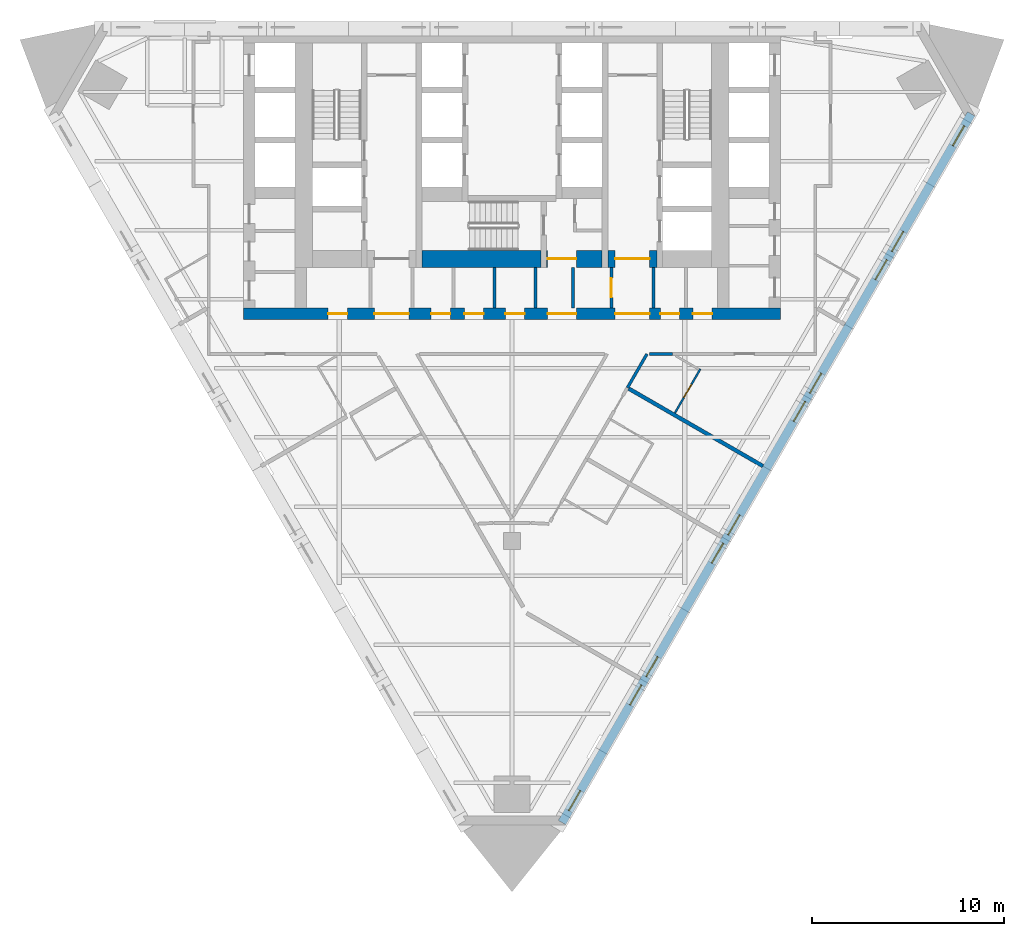
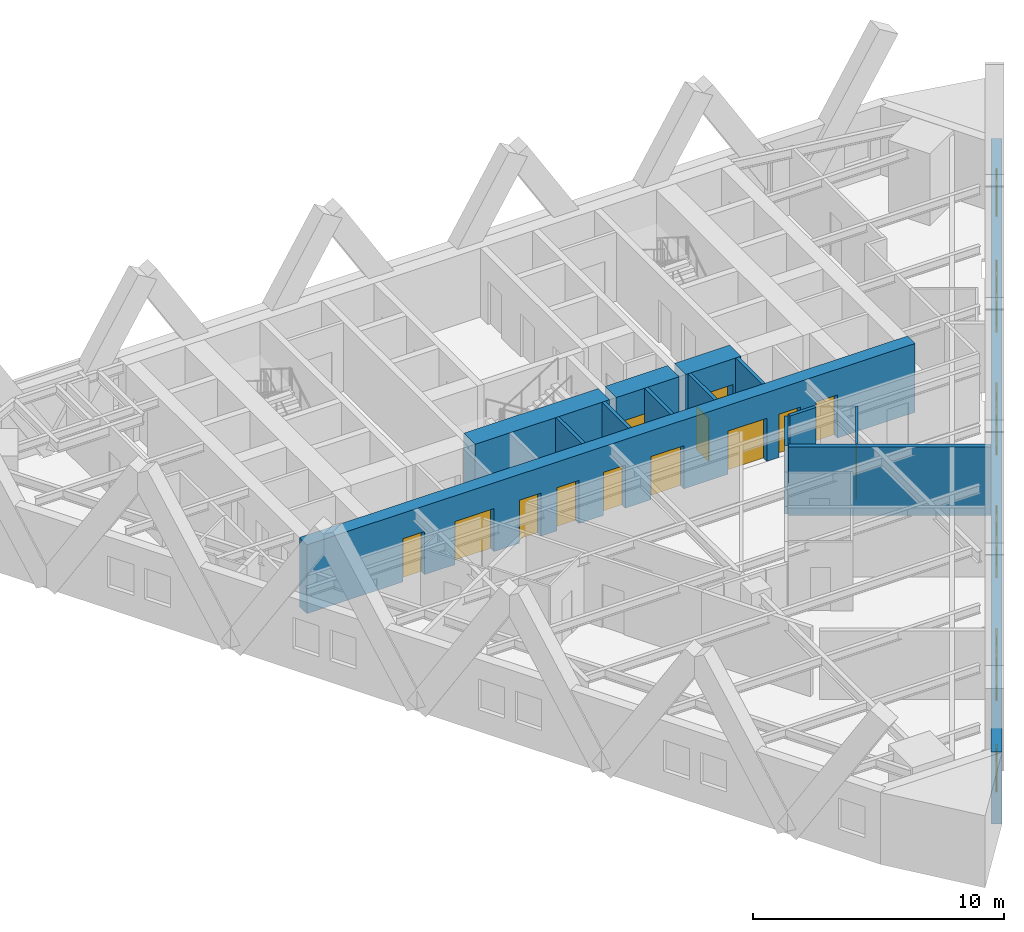
# One storey, part 4 of 8: 14 walls, 13 doors, 10 windows, 23 openings.
"""IFC4 building model written with IfcOpenShell, lengths in metres."""

from ifc_helpers import new_model, si_unit, direction, frame, frame_2d, origin, place, context, subcontext, project, spatial, polyline, rectangle, outline, extrude, material, layer, layer_set, type_object, element, fill, save


model = new_model("IFC4")

# Units and contexts
model_context = context("Model", 3, precision=1e-05, world=origin(), true_north=direction((0.0, 1.0)))
body_context = subcontext(model_context, "Body", "Model", "MODEL_VIEW")
ifc_project = project(units=[si_unit("LENGTHUNIT", "METRE"), si_unit("AREAUNIT", "SQUARE_METRE"), si_unit("VOLUMEUNIT", "CUBIC_METRE"), si_unit("PLANEANGLEUNIT", "RADIAN"), si_unit("MASSUNIT", "GRAM", prefix="KILO")], contexts=[model_context])

# Site, building, storey
site_placement = place(None, origin())
site = spatial("IfcSite", under=ifc_project, at=site_placement, CompositionType="ELEMENT")
building_placement = place(site_placement, origin())
building = spatial("IfcBuilding", under=site, at=building_placement, Name="Aloe Facet Convention Tower", CompositionType="ELEMENT")
storey_placement = place(building_placement, frame((0.0, 0.0, 88.800048828125)))
storey = spatial("IfcBuildingStorey", under=building, at=storey_placement, Name="L21", CompositionType="ELEMENT", Elevation=88.800048828125)

# Walls
ifc_material_1 = material(Name="Concrete blockwork partition", Category="masonry")
ifc_layer_1 = layer(ifc_material_1, 0.14990234375)
ifc_layer_set_1 = layer_set([ifc_layer_1], Name="CR-W-PART150")
wall_type_1 = type_object("IfcWallType", Name="CR-W-PART150", PredefinedType="PARTITIONING", material=ifc_layer_set_1)
for number, where, z_axis, x_axis, name in (
    (1, (79.091552734375, 122.25, 0.0), (0.0, 0.0, 1.0), (0.0, -1.0, 0.0), "Core partition L21-027"),
    (2, (81.22509765625, 122.25, 0.0), (0.0, 0.0, 1.0), (0.0, -1.0, 0.0), "Core partition L21-028"),
    (3, (83.175048828125, 122.25, 0.0), (0.0, 0.0, 1.0), (0.0, -1.0, 0.0), "Core partition L21-035"),
):
    element("IfcWall", number, at=place(storey_placement, frame(where, z_axis=z_axis, x_axis=x_axis)), inside=storey, type_object=wall_type_1, Name=name, PredefinedType="PARTITIONING", context=body_context, shape_type="SweptSolid", body=[
        extrude(rectangle(XDim=2.10009765625, YDim=0.14990234375, at=frame_2d((1.050048828125, 0.0))), origin(), (0.0, 0.0, 1.0), 3.349853515625),
    ])

# Wall, opening, door
wall_1_placement = place(storey_placement, frame((85.175048828125, 122.25, 0.0), z_axis=(0.0, 0.0, 1.0), x_axis=(0.0, -1.0, 0.0)))
wall_1 = element("IfcWall", 4, at=wall_1_placement, inside=storey, type_object=wall_type_1, Name="Core partition L21-041", PredefinedType="PARTITIONING", context=body_context, shape_type="SweptSolid", body=[
    extrude(rectangle(XDim=2.10009765625, YDim=0.14990234375, at=frame_2d((1.050048828125, 0.0))), origin(), (0.0, 0.0, 1.0), 3.349853515625),
])
opening_1_placement = place(wall_1_placement, frame((0.550048828125, 0.0, 0.0)))
opening_1 = element("IfcOpeningElement", 5, at=opening_1_placement, cuts=wall_1, Name="Opening L21-CD28", PredefinedType="OPENING", context=body_context, shape_type="SweptSolid", body=[
    extrude(rectangle(XDim=1.0, YDim=2.10009765625, at=frame_2d((0.5, 1.050048828125))), frame((0.0, 0.0849609375, 0.0), z_axis=(0.0, -1.0, 0.0), x_axis=(1.0, 0.0, 0.0)), (0.0, 0.0, 1.0), 0.169921875),
])
ifc_material_2 = material(Name="Steel fire-resisting door set FD60", Category="steel")
door_type_1 = type_object("IfcDoorType", Name="CR-D-ROOM-1000-FD60-SRIGHT", OperationType="SINGLE_SWING_RIGHT", PredefinedType="DOOR", material=ifc_material_2)
door_1_placement = place(opening_1_placement, origin())
door_1 = element("IfcDoor", 6, at=door_1_placement, inside=storey, type_object=door_type_1, Name="Core door L21-CD28", OperationType="SINGLE_SWING_RIGHT", OverallHeight=2.10009765625, OverallWidth=1.0, PredefinedType="DOOR", context=body_context, shape_type="SweptSolid", body=[
    extrude(rectangle(XDim=1.0, YDim=2.10009765625, at=frame_2d((0.5, 1.050048828125))), frame((0.0, 0.02490234375, 0.0), z_axis=(0.0, -1.0, 0.0), x_axis=(1.0, 0.0, 0.0)), (0.0, 0.0, 1.0), 0.050048828125),
])
fill(opening_1, door_1)

# Wall
wall_2_placement = place(storey_placement, frame((87.375, 122.25, 0.0), z_axis=(0.0, 0.0, 1.0), x_axis=(0.0, -1.0, 0.0)))
element("IfcWall", 7, at=wall_2_placement, inside=storey, type_object=wall_type_1, Name="Core partition L21-042", PredefinedType="PARTITIONING", context=body_context, shape_type="SweptSolid", body=[
    extrude(rectangle(XDim=2.10009765625, YDim=0.14990234375, at=frame_2d((1.050048828125, 0.0))), origin(), (0.0, 0.0, 1.0), 3.349853515625),
])

# Wall, openings, doors
ifc_material_3 = material(Name="Concrete C70/85", Category="concrete")
ifc_layer_2 = layer(ifc_material_3, 0.60009765625)
ifc_layer_set_2 = layer_set([ifc_layer_2], Name="CR-W-RC600-C7085")
wall_type_2 = type_object("IfcWallType", Name="CR-W-RC600-C7085", PredefinedType="SOLIDWALL", material=ifc_layer_set_2)
wall_3_placement = place(storey_placement, frame((66.0, 119.85009765625, 0.0), z_axis=(0.0, 0.0, 1.0), x_axis=(1.0, 0.0, 0.0)))
wall_3 = element("IfcWall", 8, at=wall_3_placement, inside=storey, type_object=wall_type_2, Name="Core wall L21-003", PredefinedType="SOLIDWALL", context=body_context, shape_type="SweptSolid", body=[
    extrude(rectangle(XDim=28.0, YDim=0.60009765625, at=frame_2d((14.0, 0.0))), origin(), (0.0, 0.0, 1.0), 3.349853515625),
])
opening_2_placement = place(wall_3_placement, frame((6.824951171875, 0.0, 0.0)))
opening_2 = element("IfcOpeningElement", 9, at=opening_2_placement, cuts=wall_3, Name="Opening L21-CD17", PredefinedType="OPENING", context=body_context, shape_type="SweptSolid", body=[
    extrude(rectangle(XDim=1.800048828125, YDim=2.10009765625, at=frame_2d((0.89990234375, 1.050048828125))), frame((0.0, 0.31005859375, 0.0), z_axis=(0.0, -1.0, 0.0), x_axis=(1.0, 0.0, 0.0)), (0.0, 0.0, 1.0), 0.6201171875),
])
opening_3_placement = place(wall_3_placement, frame((15.85009765625, 0.0, 0.0)))
opening_3 = element("IfcOpeningElement", 10, at=opening_3_placement, cuts=wall_3, Name="Opening L21-CD18", PredefinedType="OPENING", context=body_context, shape_type="SweptSolid", body=[
    extrude(rectangle(XDim=1.5, YDim=2.10009765625, at=frame_2d((0.75, 1.050048828125))), frame((0.0, 0.31005859375, 0.0), z_axis=(0.0, -1.0, 0.0), x_axis=(1.0, 0.0, 0.0)), (0.0, 0.0, 1.0), 0.6201171875),
])
opening_4_placement = place(wall_3_placement, frame((19.375, 0.0, 0.0)))
opening_4 = element("IfcOpeningElement", 11, at=opening_4_placement, cuts=wall_3, Name="Opening L21-CD19", PredefinedType="OPENING", context=body_context, shape_type="SweptSolid", body=[
    extrude(rectangle(XDim=1.800048828125, YDim=2.10009765625, at=frame_2d((0.89990234375, 1.050048828125))), frame((0.0, 0.31005859375, 0.0), z_axis=(0.0, -1.0, 0.0), x_axis=(1.0, 0.0, 0.0)), (0.0, 0.0, 1.0), 0.6201171875),
])
opening_5_placement = place(wall_3_placement, frame((4.425048828125, 0.0, 0.0)))
opening_5 = element("IfcOpeningElement", 12, at=opening_5_placement, cuts=wall_3, Name="Opening L21-CD24", PredefinedType="OPENING", context=body_context, shape_type="SweptSolid", body=[
    extrude(rectangle(XDim=1.0, YDim=2.10009765625, at=frame_2d((0.5, 1.050048828125))), frame((0.0, 0.31005859375, 0.0), z_axis=(0.0, -1.0, 0.0), x_axis=(1.0, 0.0, 0.0)), (0.0, 0.0, 1.0), 0.6201171875),
])
opening_6_placement = place(wall_3_placement, frame((9.783203125, 0.0, 0.0)))
opening_6 = element("IfcOpeningElement", 13, at=opening_6_placement, cuts=wall_3, Name="Opening L21-CD25", PredefinedType="OPENING", context=body_context, shape_type="SweptSolid", body=[
    extrude(rectangle(XDim=1.0, YDim=2.10009765625, at=frame_2d((0.5, 1.050048828125))), frame((0.0, 0.31005859375, 0.0), z_axis=(0.0, -1.0, 0.0), x_axis=(1.0, 0.0, 0.0)), (0.0, 0.0, 1.0), 0.6201171875),
])
opening_7_placement = place(wall_3_placement, frame((11.52490234375, 0.0, 0.0)))
opening_7 = element("IfcOpeningElement", 14, at=opening_7_placement, cuts=wall_3, Name="Opening L21-CD26", PredefinedType="OPENING", context=body_context, shape_type="SweptSolid", body=[
    extrude(rectangle(XDim=1.0, YDim=2.10009765625, at=frame_2d((0.5, 1.050048828125))), frame((0.0, 0.31005859375, 0.0), z_axis=(0.0, -1.0, 0.0), x_axis=(1.0, 0.0, 0.0)), (0.0, 0.0, 1.0), 0.6201171875),
])
opening_8_placement = place(wall_3_placement, frame((13.658203125, 0.0, 0.0)))
opening_8 = element("IfcOpeningElement", 15, at=opening_8_placement, cuts=wall_3, Name="Opening L21-CD27", PredefinedType="OPENING", context=body_context, shape_type="SweptSolid", body=[
    extrude(rectangle(XDim=1.0, YDim=2.10009765625, at=frame_2d((0.5, 1.050048828125))), frame((0.0, 0.31005859375, 0.0), z_axis=(0.0, -1.0, 0.0), x_axis=(1.0, 0.0, 0.0)), (0.0, 0.0, 1.0), 0.6201171875),
])
opening_9_placement = place(wall_3_placement, frame((21.72509765625, 0.0, 0.0)))
opening_9 = element("IfcOpeningElement", 16, at=opening_9_placement, cuts=wall_3, Name="Opening L21-CD29", PredefinedType="OPENING", context=body_context, shape_type="SweptSolid", body=[
    extrude(rectangle(XDim=1.0, YDim=2.10009765625, at=frame_2d((0.5, 1.050048828125))), frame((0.0, 0.31005859375, 0.0), z_axis=(0.0, -1.0, 0.0), x_axis=(1.0, 0.0, 0.0)), (0.0, 0.0, 1.0), 0.6201171875),
])
opening_10_placement = place(wall_3_placement, frame((23.425048828125, 0.0, 0.0)))
opening_10 = element("IfcOpeningElement", 17, at=opening_10_placement, cuts=wall_3, Name="Opening L21-CD30", PredefinedType="OPENING", context=body_context, shape_type="SweptSolid", body=[
    extrude(rectangle(XDim=1.0, YDim=2.10009765625, at=frame_2d((0.5, 1.050048828125))), frame((0.0, 0.31005859375, 0.0), z_axis=(0.0, -1.0, 0.0), x_axis=(1.0, 0.0, 0.0)), (0.0, 0.0, 1.0), 0.6201171875),
])
ifc_material_4 = material(Name="Steel fire-resisting door set FD60", Category="steel")
door_type_2 = type_object("IfcDoorType", Name="CR-D-EXIT-1500-FD60-DD", OperationType="DOUBLE_DOOR_DOUBLE_SWING", PredefinedType="DOOR", material=ifc_material_4)
door_2_placement = place(opening_3_placement, origin())
door_2 = element("IfcDoor", 18, at=door_2_placement, inside=storey, type_object=door_type_2, Name="Core door L21-CD18", OperationType="DOUBLE_DOOR_DOUBLE_SWING", OverallHeight=2.10009765625, OverallWidth=1.5, PredefinedType="DOOR", context=body_context, shape_type="SweptSolid", body=[
    extrude(rectangle(XDim=1.5, YDim=2.10009765625, at=frame_2d((0.75, 1.050048828125))), frame((0.0, 0.02490234375, 0.0), z_axis=(0.0, -1.0, 0.0), x_axis=(1.0, 0.0, 0.0)), (0.0, 0.0, 1.0), 0.050048828125),
])
fill(opening_3, door_2)
ifc_material_5 = material(Name="Steel fire-resisting door set FD60", Category="steel")
door_type_3 = type_object("IfcDoorType", Name="CR-D-EXIT-1800-FD60-DD", OperationType="DOUBLE_DOOR_DOUBLE_SWING", PredefinedType="DOOR", material=ifc_material_5)
door_3_placement = place(opening_2_placement, origin())
door_3 = element("IfcDoor", 19, at=door_3_placement, inside=storey, type_object=door_type_3, Name="Core door L21-CD17", OperationType="DOUBLE_DOOR_DOUBLE_SWING", OverallHeight=2.10009765625, OverallWidth=1.800048828125, PredefinedType="DOOR", context=body_context, shape_type="SweptSolid", body=[
    extrude(rectangle(XDim=1.800048828125, YDim=2.10009765625, at=frame_2d((0.89990234375, 1.050048828125))), frame((0.0, 0.02490234375, 0.0), z_axis=(0.0, -1.0, 0.0), x_axis=(1.0, 0.0, 0.0)), (0.0, 0.0, 1.0), 0.050048828125),
])
fill(opening_2, door_3)
door_4_placement = place(opening_4_placement, origin())
door_4 = element("IfcDoor", 20, at=door_4_placement, inside=storey, type_object=door_type_3, Name="Core door L21-CD19", OperationType="DOUBLE_DOOR_DOUBLE_SWING", OverallHeight=2.10009765625, OverallWidth=1.800048828125, PredefinedType="DOOR", context=body_context, shape_type="SweptSolid", body=[
    extrude(rectangle(XDim=1.800048828125, YDim=2.10009765625, at=frame_2d((0.89990234375, 1.050048828125))), frame((0.0, 0.02490234375, 0.0), z_axis=(0.0, -1.0, 0.0), x_axis=(1.0, 0.0, 0.0)), (0.0, 0.0, 1.0), 0.050048828125),
])
fill(opening_4, door_4)
door_5_placement = place(opening_5_placement, origin())
door_5 = element("IfcDoor", 21, at=door_5_placement, inside=storey, type_object=door_type_1, Name="Core door L21-CD24", OperationType="SINGLE_SWING_RIGHT", OverallHeight=2.10009765625, OverallWidth=1.0, PredefinedType="DOOR", context=body_context, shape_type="SweptSolid", body=[
    extrude(rectangle(XDim=1.0, YDim=2.10009765625, at=frame_2d((0.5, 1.050048828125))), frame((0.0, 0.02490234375, 0.0), z_axis=(0.0, -1.0, 0.0), x_axis=(1.0, 0.0, 0.0)), (0.0, 0.0, 1.0), 0.050048828125),
])
fill(opening_5, door_5)
door_6_placement = place(opening_6_placement, origin())
door_6 = element("IfcDoor", 22, at=door_6_placement, inside=storey, type_object=door_type_1, Name="Core door L21-CD25", OperationType="SINGLE_SWING_RIGHT", OverallHeight=2.10009765625, OverallWidth=1.0, PredefinedType="DOOR", context=body_context, shape_type="SweptSolid", body=[
    extrude(rectangle(XDim=1.0, YDim=2.10009765625, at=frame_2d((0.5, 1.050048828125))), frame((0.0, 0.02490234375, 0.0), z_axis=(0.0, -1.0, 0.0), x_axis=(1.0, 0.0, 0.0)), (0.0, 0.0, 1.0), 0.050048828125),
])
fill(opening_6, door_6)
door_7_placement = place(opening_7_placement, origin())
door_7 = element("IfcDoor", 23, at=door_7_placement, inside=storey, type_object=door_type_1, Name="Core door L21-CD26", OperationType="SINGLE_SWING_RIGHT", OverallHeight=2.10009765625, OverallWidth=1.0, PredefinedType="DOOR", context=body_context, shape_type="SweptSolid", body=[
    extrude(rectangle(XDim=1.0, YDim=2.10009765625, at=frame_2d((0.5, 1.050048828125))), frame((0.0, 0.02490234375, 0.0), z_axis=(0.0, -1.0, 0.0), x_axis=(1.0, 0.0, 0.0)), (0.0, 0.0, 1.0), 0.050048828125),
])
fill(opening_7, door_7)
door_8_placement = place(opening_8_placement, origin())
door_8 = element("IfcDoor", 24, at=door_8_placement, inside=storey, type_object=door_type_1, Name="Core door L21-CD27", OperationType="SINGLE_SWING_RIGHT", OverallHeight=2.10009765625, OverallWidth=1.0, PredefinedType="DOOR", context=body_context, shape_type="SweptSolid", body=[
    extrude(rectangle(XDim=1.0, YDim=2.10009765625, at=frame_2d((0.5, 1.050048828125))), frame((0.0, 0.02490234375, 0.0), z_axis=(0.0, -1.0, 0.0), x_axis=(1.0, 0.0, 0.0)), (0.0, 0.0, 1.0), 0.050048828125),
])
fill(opening_8, door_8)
door_9_placement = place(opening_9_placement, origin())
door_9 = element("IfcDoor", 25, at=door_9_placement, inside=storey, type_object=door_type_1, Name="Core door L21-CD29", OperationType="SINGLE_SWING_RIGHT", OverallHeight=2.10009765625, OverallWidth=1.0, PredefinedType="DOOR", context=body_context, shape_type="SweptSolid", body=[
    extrude(rectangle(XDim=1.0, YDim=2.10009765625, at=frame_2d((0.5, 1.050048828125))), frame((0.0, 0.02490234375, 0.0), z_axis=(0.0, -1.0, 0.0), x_axis=(1.0, 0.0, 0.0)), (0.0, 0.0, 1.0), 0.050048828125),
])
fill(opening_9, door_9)
door_10_placement = place(opening_10_placement, origin())
door_10 = element("IfcDoor", 26, at=door_10_placement, inside=storey, type_object=door_type_1, Name="Core door L21-CD30", OperationType="SINGLE_SWING_RIGHT", OverallHeight=2.10009765625, OverallWidth=1.0, PredefinedType="DOOR", context=body_context, shape_type="SweptSolid", body=[
    extrude(rectangle(XDim=1.0, YDim=2.10009765625, at=frame_2d((0.5, 1.050048828125))), frame((0.0, 0.02490234375, 0.0), z_axis=(0.0, -1.0, 0.0), x_axis=(1.0, 0.0, 0.0)), (0.0, 0.0, 1.0), 0.050048828125),
])
fill(opening_10, door_10)

# Wall
ifc_material_6 = material(Name="Concrete C70/85", Category="concrete")
ifc_layer_3 = layer(ifc_material_6, 0.89990234375)
ifc_layer_set_3 = layer_set([ifc_layer_3], Name="CR-W-RC900-C7085")
wall_type_3 = type_object("IfcWallType", Name="CR-W-RC900-C7085", PredefinedType="SOLIDWALL", material=ifc_layer_set_3)
wall_4_placement = place(storey_placement, frame((75.300048828125, 122.699951171875, 0.0), z_axis=(0.0, 0.0, 1.0), x_axis=(1.0, 0.0, 0.0)))
element("IfcWall", 27, at=wall_4_placement, inside=storey, type_object=wall_type_3, Name="Core wall L21-023", PredefinedType="SOLIDWALL", context=body_context, shape_type="SweptSolid", body=[
    extrude(rectangle(XDim=6.199951171875, YDim=0.89990234375, at=frame_2d((3.10009765625, 0.0))), origin(), (0.0, 0.0, 1.0), 3.349853515625),
])

# Wall, opening, door
wall_5_placement = place(storey_placement, frame((81.800048828125, 122.699951171875, 0.0), z_axis=(0.0, 0.0, 1.0), x_axis=(1.0, 0.0, 0.0)))
wall_5 = element("IfcWall", 28, at=wall_5_placement, inside=storey, type_object=wall_type_3, Name="Core wall L21-030", PredefinedType="SOLIDWALL", context=body_context, shape_type="SweptSolid", body=[
    extrude(rectangle(XDim=2.89990234375, YDim=0.89990234375, at=frame_2d((1.449951171875, 0.0))), origin(), (0.0, 0.0, 1.0), 3.349853515625),
])
opening_11_placement = place(wall_5_placement, frame((0.050048828125, 0.0, 0.0)))
opening_11 = element("IfcOpeningElement", 29, at=opening_11_placement, cuts=wall_5, Name="Opening L21-CD16", PredefinedType="OPENING", context=body_context, shape_type="SweptSolid", body=[
    extrude(rectangle(XDim=1.5, YDim=2.10009765625, at=frame_2d((0.75, 1.050048828125))), frame((0.0, 0.4599609375, 0.0), z_axis=(0.0, -1.0, 0.0), x_axis=(1.0, 0.0, 0.0)), (0.0, 0.0, 1.0), 0.919921875),
])
door_11_placement = place(opening_11_placement, origin())
door_11 = element("IfcDoor", 30, at=door_11_placement, inside=storey, type_object=door_type_2, Name="Core door L21-CD16", OperationType="DOUBLE_DOOR_DOUBLE_SWING", OverallHeight=2.10009765625, OverallWidth=1.5, PredefinedType="DOOR", context=body_context, shape_type="SweptSolid", body=[
    extrude(rectangle(XDim=1.5, YDim=2.10009765625, at=frame_2d((0.75, 1.050048828125))), frame((0.0, 0.02490234375, 0.0), z_axis=(0.0, -1.0, 0.0), x_axis=(1.0, 0.0, 0.0)), (0.0, 0.0, 1.0), 0.050048828125),
])
fill(opening_11, door_11)

wall_6_placement = place(storey_placement, frame((85.0, 122.699951171875, 0.0), z_axis=(0.0, 0.0, 1.0), x_axis=(1.0, 0.0, 0.0)))
wall_6 = element("IfcWall", 31, at=wall_6_placement, inside=storey, type_object=wall_type_3, Name="Core wall L21-040", PredefinedType="SOLIDWALL", context=body_context, shape_type="SweptSolid", body=[
    extrude(rectangle(XDim=2.550048828125, YDim=0.89990234375, at=frame_2d((1.27490234375, 0.0))), origin(), (0.0, 0.0, 1.0), 3.349853515625),
])
opening_12_placement = place(wall_6_placement, frame((0.375, 0.0, 0.0)))
opening_12 = element("IfcOpeningElement", 32, at=opening_12_placement, cuts=wall_6, Name="Opening L21-CD14", PredefinedType="OPENING", context=body_context, shape_type="SweptSolid", body=[
    extrude(rectangle(XDim=1.800048828125, YDim=2.10009765625, at=frame_2d((0.89990234375, 1.050048828125))), frame((0.0, 0.4599609375, 0.0), z_axis=(0.0, -1.0, 0.0), x_axis=(1.0, 0.0, 0.0)), (0.0, 0.0, 1.0), 0.919921875),
])
ifc_material_7 = material(Name="Steel fire-resisting door set FD120", Category="steel")
door_type_4 = type_object("IfcDoorType", Name="CR-D-EXIT-1800-FD120-DD", OperationType="DOUBLE_DOOR_DOUBLE_SWING", PredefinedType="DOOR", material=ifc_material_7)
door_12_placement = place(opening_12_placement, origin())
door_12 = element("IfcDoor", 33, at=door_12_placement, inside=storey, type_object=door_type_4, Name="Core door L21-CD14", OperationType="DOUBLE_DOOR_DOUBLE_SWING", OverallHeight=2.10009765625, OverallWidth=1.800048828125, PredefinedType="DOOR", context=body_context, shape_type="SweptSolid", body=[
    extrude(rectangle(XDim=1.800048828125, YDim=2.10009765625, at=frame_2d((0.89990234375, 1.050048828125))), frame((0.0, 0.02490234375, 0.0), z_axis=(0.0, -1.0, 0.0), x_axis=(1.0, 0.0, 0.0)), (0.0, 0.0, 1.0), 0.050048828125),
])
fill(opening_12, door_12)

# Wall, openings, windows
ifc_material_8 = material(Name="Precast concrete C40/50", Category="concrete")
ifc_layer_4 = layer(ifc_material_8, 0.449951171875)
ifc_layer_set_4 = layer_set([ifc_layer_4], Name="EV-WALL-STONE")
wall_type_4 = type_object("IfcWallType", Name="EV-WALL-STONE", PredefinedType="SOLIDWALL", material=ifc_layer_set_4)
wall_7_placement = place(storey_placement, frame((82.605224609375, 93.332763671875, -0.150146484375), z_axis=(0.0, 0.0, 1.0), x_axis=(0.500000478905, 0.866025127289, 0.0)))
wall_7 = element("IfcWall", 34, at=wall_7_placement, inside=storey, type_object=wall_type_4, Name="EW-L21-E01", PredefinedType="SOLIDWALL", context=body_context, shape_type="SweptSolid", body=[
    extrude(outline(polyline([(42.64306640625, 0.0), (42.64306640625, 3.5), (0.0, 3.5), (0.0, 0.0), (42.64306640625, 0.0)])), frame((0.0, 0.22509765625, 0.0), z_axis=(0.0, -1.0, 0.0), x_axis=(1.0, 0.0, 0.0)), (0.0, 0.0, 1.0), 0.449951171875),
])
opening_13_placement = place(wall_7_placement, frame((0.720458984375, 0.0, 1.050048828125)))
opening_13 = element("IfcOpeningElement", 35, at=opening_13_placement, cuts=wall_7, Name="Opening W-L21-E01", PredefinedType="OPENING", context=body_context, shape_type="SweptSolid", body=[
    extrude(rectangle(XDim=1.199951171875, YDim=1.5, at=frame_2d((0.60009765625, 0.75))), frame((0.0, 0.23486328125, 0.0), z_axis=(0.0, -1.0, 0.0), x_axis=(1.0, 0.0, 0.0)), (0.0, 0.0, 1.0), 0.469970703125),
])
opening_14_placement = place(wall_7_placement, frame((7.07861328125, 0.0, 1.050048828125)))
opening_14 = element("IfcOpeningElement", 36, at=opening_14_placement, cuts=wall_7, Name="Opening W-L21-E02", PredefinedType="OPENING", context=body_context, shape_type="SweptSolid", body=[
    extrude(rectangle(XDim=1.199951171875, YDim=1.5, at=frame_2d((0.60009765625, 0.75))), frame((0.0, 0.23486328125, 0.0), z_axis=(0.0, -1.0, 0.0), x_axis=(1.0, 0.0, 0.0)), (0.0, 0.0, 1.0), 0.469970703125),
])
opening_15_placement = place(wall_7_placement, frame((8.778564453125, 0.0, 1.050048828125)))
opening_15 = element("IfcOpeningElement", 37, at=opening_15_placement, cuts=wall_7, Name="Opening W-L21-E03", PredefinedType="OPENING", context=body_context, shape_type="SweptSolid", body=[
    extrude(rectangle(XDim=1.199951171875, YDim=1.5, at=frame_2d((0.60009765625, 0.75))), frame((0.0, 0.23486328125, 0.0), z_axis=(0.0, -1.0, 0.0), x_axis=(1.0, 0.0, 0.0)), (0.0, 0.0, 1.0), 0.469970703125),
])
opening_16_placement = place(wall_7_placement, frame((15.607177734375, 0.0, 1.050048828125)))
opening_16 = element("IfcOpeningElement", 38, at=opening_16_placement, cuts=wall_7, Name="Opening W-L21-E04", PredefinedType="OPENING", context=body_context, shape_type="SweptSolid", body=[
    extrude(rectangle(XDim=1.199951171875, YDim=1.5, at=frame_2d((0.60009765625, 0.75))), frame((0.0, 0.23486328125, 0.0), z_axis=(0.0, -1.0, 0.0), x_axis=(1.0, 0.0, 0.0)), (0.0, 0.0, 1.0), 0.469970703125),
])
opening_17_placement = place(wall_7_placement, frame((17.30712890625, 0.0, 1.050048828125)))
opening_17 = element("IfcOpeningElement", 39, at=opening_17_placement, cuts=wall_7, Name="Opening W-L21-E05", PredefinedType="OPENING", context=body_context, shape_type="SweptSolid", body=[
    extrude(rectangle(XDim=1.199951171875, YDim=1.5, at=frame_2d((0.60009765625, 0.75))), frame((0.0, 0.23486328125, 0.0), z_axis=(0.0, -1.0, 0.0), x_axis=(1.0, 0.0, 0.0)), (0.0, 0.0, 1.0), 0.469970703125),
])
opening_18_placement = place(wall_7_placement, frame((24.1357421875, 0.0, 1.050048828125)))
opening_18 = element("IfcOpeningElement", 40, at=opening_18_placement, cuts=wall_7, Name="Opening W-L21-E06", PredefinedType="OPENING", context=body_context, shape_type="SweptSolid", body=[
    extrude(rectangle(XDim=1.199951171875, YDim=1.5, at=frame_2d((0.60009765625, 0.75))), frame((0.0, 0.23486328125, 0.0), z_axis=(0.0, -1.0, 0.0), x_axis=(1.0, 0.0, 0.0)), (0.0, 0.0, 1.0), 0.469970703125),
])
opening_19_placement = place(wall_7_placement, frame((25.8359375, 0.0, 1.050048828125)))
opening_19 = element("IfcOpeningElement", 41, at=opening_19_placement, cuts=wall_7, Name="Opening W-L21-E07", PredefinedType="OPENING", context=body_context, shape_type="SweptSolid", body=[
    extrude(rectangle(XDim=1.199951171875, YDim=1.5, at=frame_2d((0.60009765625, 0.75))), frame((0.0, 0.23486328125, 0.0), z_axis=(0.0, -1.0, 0.0), x_axis=(1.0, 0.0, 0.0)), (0.0, 0.0, 1.0), 0.469970703125),
])
opening_20_placement = place(wall_7_placement, frame((32.66455078125, 0.0, 1.050048828125)))
opening_20 = element("IfcOpeningElement", 42, at=opening_20_placement, cuts=wall_7, Name="Opening W-L21-E08", PredefinedType="OPENING", context=body_context, shape_type="SweptSolid", body=[
    extrude(rectangle(XDim=1.199951171875, YDim=1.5, at=frame_2d((0.60009765625, 0.75))), frame((0.0, 0.23486328125, 0.0), z_axis=(0.0, -1.0, 0.0), x_axis=(1.0, 0.0, 0.0)), (0.0, 0.0, 1.0), 0.469970703125),
])
opening_21_placement = place(wall_7_placement, frame((34.364501953125, 0.0, 1.050048828125)))
opening_21 = element("IfcOpeningElement", 43, at=opening_21_placement, cuts=wall_7, Name="Opening W-L21-E09", PredefinedType="OPENING", context=body_context, shape_type="SweptSolid", body=[
    extrude(rectangle(XDim=1.199951171875, YDim=1.5, at=frame_2d((0.60009765625, 0.75))), frame((0.0, 0.23486328125, 0.0), z_axis=(0.0, -1.0, 0.0), x_axis=(1.0, 0.0, 0.0)), (0.0, 0.0, 1.0), 0.469970703125),
])
opening_22_placement = place(wall_7_placement, frame((40.722412109375, 0.0, 1.050048828125)))
opening_22 = element("IfcOpeningElement", 44, at=opening_22_placement, cuts=wall_7, Name="Opening W-L21-E10", PredefinedType="OPENING", context=body_context, shape_type="SweptSolid", body=[
    extrude(rectangle(XDim=1.199951171875, YDim=1.5, at=frame_2d((0.60009765625, 0.75))), frame((0.0, 0.23486328125, 0.0), z_axis=(0.0, -1.0, 0.0), x_axis=(1.0, 0.0, 0.0)), (0.0, 0.0, 1.0), 0.469970703125),
])
ifc_material_9 = material(Name="Aluminium frame, clear double glazing", Category="aluminium")
window_type = type_object("IfcWindowType", Name="EV-WIN-H12", PartitioningType="SINGLE_PANEL", PredefinedType="WINDOW", material=ifc_material_9)
window_1_placement = place(opening_13_placement, origin())
window_1 = element("IfcWindow", 45, at=window_1_placement, inside=storey, type_object=window_type, Name="W-L21-E01", OverallHeight=1.5, OverallWidth=1.199951171875, PartitioningType="SINGLE_PANEL", PredefinedType="WINDOW", context=body_context, shape_type="SweptSolid", body=[
    extrude(rectangle(XDim=1.199951171875, YDim=1.5, at=frame_2d((0.60009765625, 0.75))), frame((0.0, 0.030029296875, 0.0), z_axis=(0.0, -1.0, 0.0), x_axis=(1.0, 0.0, 0.0)), (0.0, 0.0, 1.0), 0.06005859375),
])
fill(opening_13, window_1)
window_2_placement = place(opening_14_placement, origin())
window_2 = element("IfcWindow", 46, at=window_2_placement, inside=storey, type_object=window_type, Name="W-L21-E02", OverallHeight=1.5, OverallWidth=1.199951171875, PartitioningType="SINGLE_PANEL", PredefinedType="WINDOW", context=body_context, shape_type="SweptSolid", body=[
    extrude(rectangle(XDim=1.199951171875, YDim=1.5, at=frame_2d((0.60009765625, 0.75))), frame((0.0, 0.030029296875, 0.0), z_axis=(0.0, -1.0, 0.0), x_axis=(1.0, 0.0, 0.0)), (0.0, 0.0, 1.0), 0.06005859375),
])
fill(opening_14, window_2)
window_3_placement = place(opening_15_placement, origin())
window_3 = element("IfcWindow", 47, at=window_3_placement, inside=storey, type_object=window_type, Name="W-L21-E03", OverallHeight=1.5, OverallWidth=1.199951171875, PartitioningType="SINGLE_PANEL", PredefinedType="WINDOW", context=body_context, shape_type="SweptSolid", body=[
    extrude(rectangle(XDim=1.199951171875, YDim=1.5, at=frame_2d((0.60009765625, 0.75))), frame((0.0, 0.030029296875, 0.0), z_axis=(0.0, -1.0, 0.0), x_axis=(1.0, 0.0, 0.0)), (0.0, 0.0, 1.0), 0.06005859375),
])
fill(opening_15, window_3)
window_4_placement = place(opening_16_placement, origin())
window_4 = element("IfcWindow", 48, at=window_4_placement, inside=storey, type_object=window_type, Name="W-L21-E04", OverallHeight=1.5, OverallWidth=1.199951171875, PartitioningType="SINGLE_PANEL", PredefinedType="WINDOW", context=body_context, shape_type="SweptSolid", body=[
    extrude(rectangle(XDim=1.199951171875, YDim=1.5, at=frame_2d((0.60009765625, 0.75))), frame((0.0, 0.030029296875, 0.0), z_axis=(0.0, -1.0, 0.0), x_axis=(1.0, 0.0, 0.0)), (0.0, 0.0, 1.0), 0.06005859375),
])
fill(opening_16, window_4)
window_5_placement = place(opening_17_placement, origin())
window_5 = element("IfcWindow", 49, at=window_5_placement, inside=storey, type_object=window_type, Name="W-L21-E05", OverallHeight=1.5, OverallWidth=1.199951171875, PartitioningType="SINGLE_PANEL", PredefinedType="WINDOW", context=body_context, shape_type="SweptSolid", body=[
    extrude(rectangle(XDim=1.199951171875, YDim=1.5, at=frame_2d((0.60009765625, 0.75))), frame((0.0, 0.030029296875, 0.0), z_axis=(0.0, -1.0, 0.0), x_axis=(1.0, 0.0, 0.0)), (0.0, 0.0, 1.0), 0.06005859375),
])
fill(opening_17, window_5)
window_6_placement = place(opening_18_placement, origin())
window_6 = element("IfcWindow", 50, at=window_6_placement, inside=storey, type_object=window_type, Name="W-L21-E06", OverallHeight=1.5, OverallWidth=1.199951171875, PartitioningType="SINGLE_PANEL", PredefinedType="WINDOW", context=body_context, shape_type="SweptSolid", body=[
    extrude(rectangle(XDim=1.199951171875, YDim=1.5, at=frame_2d((0.60009765625, 0.75))), frame((0.0, 0.030029296875, 0.0), z_axis=(0.0, -1.0, 0.0), x_axis=(1.0, 0.0, 0.0)), (0.0, 0.0, 1.0), 0.06005859375),
])
fill(opening_18, window_6)
window_7_placement = place(opening_19_placement, origin())
window_7 = element("IfcWindow", 51, at=window_7_placement, inside=storey, type_object=window_type, Name="W-L21-E07", OverallHeight=1.5, OverallWidth=1.199951171875, PartitioningType="SINGLE_PANEL", PredefinedType="WINDOW", context=body_context, shape_type="SweptSolid", body=[
    extrude(rectangle(XDim=1.199951171875, YDim=1.5, at=frame_2d((0.60009765625, 0.75))), frame((0.0, 0.030029296875, 0.0), z_axis=(0.0, -1.0, 0.0), x_axis=(1.0, 0.0, 0.0)), (0.0, 0.0, 1.0), 0.06005859375),
])
fill(opening_19, window_7)
window_8_placement = place(opening_20_placement, origin())
window_8 = element("IfcWindow", 52, at=window_8_placement, inside=storey, type_object=window_type, Name="W-L21-E08", OverallHeight=1.5, OverallWidth=1.199951171875, PartitioningType="SINGLE_PANEL", PredefinedType="WINDOW", context=body_context, shape_type="SweptSolid", body=[
    extrude(rectangle(XDim=1.199951171875, YDim=1.5, at=frame_2d((0.60009765625, 0.75))), frame((0.0, 0.030029296875, 0.0), z_axis=(0.0, -1.0, 0.0), x_axis=(1.0, 0.0, 0.0)), (0.0, 0.0, 1.0), 0.06005859375),
])
fill(opening_20, window_8)
window_9_placement = place(opening_21_placement, origin())
window_9 = element("IfcWindow", 53, at=window_9_placement, inside=storey, type_object=window_type, Name="W-L21-E09", OverallHeight=1.5, OverallWidth=1.199951171875, PartitioningType="SINGLE_PANEL", PredefinedType="WINDOW", context=body_context, shape_type="SweptSolid", body=[
    extrude(rectangle(XDim=1.199951171875, YDim=1.5, at=frame_2d((0.60009765625, 0.75))), frame((0.0, 0.030029296875, 0.0), z_axis=(0.0, -1.0, 0.0), x_axis=(1.0, 0.0, 0.0)), (0.0, 0.0, 1.0), 0.06005859375),
])
fill(opening_21, window_9)
window_10_placement = place(opening_22_placement, origin())
window_10 = element("IfcWindow", 54, at=window_10_placement, inside=storey, type_object=window_type, Name="W-L21-E10", OverallHeight=1.5, OverallWidth=1.199951171875, PartitioningType="SINGLE_PANEL", PredefinedType="WINDOW", context=body_context, shape_type="SweptSolid", body=[
    extrude(rectangle(XDim=1.199951171875, YDim=1.5, at=frame_2d((0.60009765625, 0.75))), frame((0.0, 0.030029296875, 0.0), z_axis=(0.0, -1.0, 0.0), x_axis=(1.0, 0.0, 0.0)), (0.0, 0.0, 1.0), 0.06005859375),
])
fill(opening_22, window_10)

# Walls
ifc_material_10 = material(Name="Gypsum board partition on steel studs", Category="steel")
ifc_layer_5 = layer(ifc_material_10, 0.14990234375)
ifc_layer_set_5 = layer_set([ifc_layer_5], Name="IN-W-CORR")
wall_type_5 = type_object("IfcWallType", Name="IN-W-CORR", PredefinedType="PARTITIONING", material=ifc_layer_set_5)
wall_8_placement = place(storey_placement, frame((86.012939453125, 115.9853515625, 0.0), z_axis=(0.0, 0.0, 1.0), x_axis=(0.499992114976, 0.866029956157, 0.0)))
element("IfcWall", 55, at=wall_8_placement, inside=storey, type_object=wall_type_5, Name="Partition L21-W034", PredefinedType="PARTITIONING", context=body_context, shape_type="SweptSolid", body=[
    extrude(rectangle(XDim=2.03759765625, YDim=0.14990234375, at=frame_2d((1.018798828125, 0.0))), origin(), (0.0, 0.0, 1.0), 3.349853515625),
])
wall_9_placement = place(storey_placement, frame((87.16162109375, 117.75, 0.0), z_axis=(0.0, 0.0, 1.0), x_axis=(1.0, 0.0, 0.0)))
element("IfcWall", 56, at=wall_9_placement, inside=storey, type_object=wall_type_5, Name="Partition L21-W044", PredefinedType="PARTITIONING", context=body_context, shape_type="SweptSolid", body=[
    extrude(rectangle(XDim=1.19482421875, YDim=0.14990234375, at=frame_2d((0.597412109375, 0.0))), origin(), (0.0, 0.0, 1.0), 3.349853515625),
])

# Wall, opening, door
ifc_material_11 = material(Name="Gypsum board partition on steel studs", Category="steel")
ifc_layer_6 = layer(ifc_material_11, 0.10009765625)
ifc_layer_set_6 = layer_set([ifc_layer_6], Name="IN-W-PART")
wall_type_6 = type_object("IfcWallType", Name="IN-W-PART", PredefinedType="PARTITIONING", material=ifc_layer_set_6)
wall_10_placement = place(storey_placement, frame((88.48779296875, 114.671875, 0.0), z_axis=(0.0, 0.0, 1.0), x_axis=(0.499993606316, 0.866029095148, 0.0)))
wall_10 = element("IfcWall", 57, at=wall_10_placement, inside=storey, type_object=wall_type_6, Name="Partition L21-W035", PredefinedType="PARTITIONING", context=body_context, shape_type="SweptSolid", body=[
    extrude(rectangle(XDim=2.64990234375, YDim=0.10009765625, at=frame_2d((1.324951171875, 0.0))), origin(), (0.0, 0.0, 1.0), 3.349853515625),
])
opening_23_placement = place(wall_10_placement, frame((0.925048828125, 0.0, 0.0)))
opening_23 = element("IfcOpeningElement", 58, at=opening_23_placement, cuts=wall_10, Name="Opening L21-014", PredefinedType="OPENING", context=body_context, shape_type="SweptSolid", body=[
    extrude(rectangle(XDim=0.800048828125, YDim=2.10009765625, at=frame_2d((0.39990234375, 1.050048828125))), frame((0.0, 0.06005859375, 0.0), z_axis=(0.0, -1.0, 0.0), x_axis=(1.0, 0.0, 0.0)), (0.0, 0.0, 1.0), 0.1201171875),
])
ifc_material_12 = material(Name="Timber flush door", Category="wood")
door_type_5 = type_object("IfcDoorType", Name="IN-D-BATH", OperationType="SINGLE_SWING_LEFT", PredefinedType="DOOR", material=ifc_material_12)
door_13_placement = place(opening_23_placement, origin())
door_13 = element("IfcDoor", 59, at=door_13_placement, inside=storey, type_object=door_type_5, Name="Door L21-014", OperationType="SINGLE_SWING_LEFT", OverallHeight=2.10009765625, OverallWidth=0.800048828125, PredefinedType="DOOR", context=body_context, shape_type="SweptSolid", body=[
    extrude(rectangle(XDim=0.800048828125, YDim=2.10009765625, at=frame_2d((0.39990234375, 1.050048828125))), frame((0.0, 0.02490234375, 0.0), z_axis=(0.0, -1.0, 0.0), x_axis=(1.0, 0.0, 0.0)), (0.0, 0.0, 1.0), 0.050048828125),
])
fill(opening_23, door_13)

# Wall
ifc_material_13 = material(Name="Gypsum board partition on steel studs", Category="steel")
ifc_layer_7 = layer(ifc_material_13, 0.199951171875)
ifc_layer_set_7 = layer_set([ifc_layer_7], Name="IN-W-PARTY")
wall_type_7 = type_object("IfcWallType", Name="IN-W-PARTY", PredefinedType="PARTITIONING", material=ifc_layer_set_7)
wall_11_placement = place(storey_placement, frame((86.086669921875, 115.94287109375, 0.0), z_axis=(0.0, 0.0, 1.0), x_axis=(0.866010152247, -0.500026415507, 0.0)))
element("IfcWall", 60, at=wall_11_placement, inside=storey, type_object=wall_type_7, Name="Partition L21-W016", PredefinedType="PARTITIONING", context=body_context, shape_type="SweptSolid", body=[
    extrude(rectangle(XDim=8.06494140625, YDim=0.199951171875, at=frame_2d((4.032470703125, 0.0))), origin(), (0.0, 0.0, 1.0), 3.349853515625),
])

save(model, "model.ifc")
